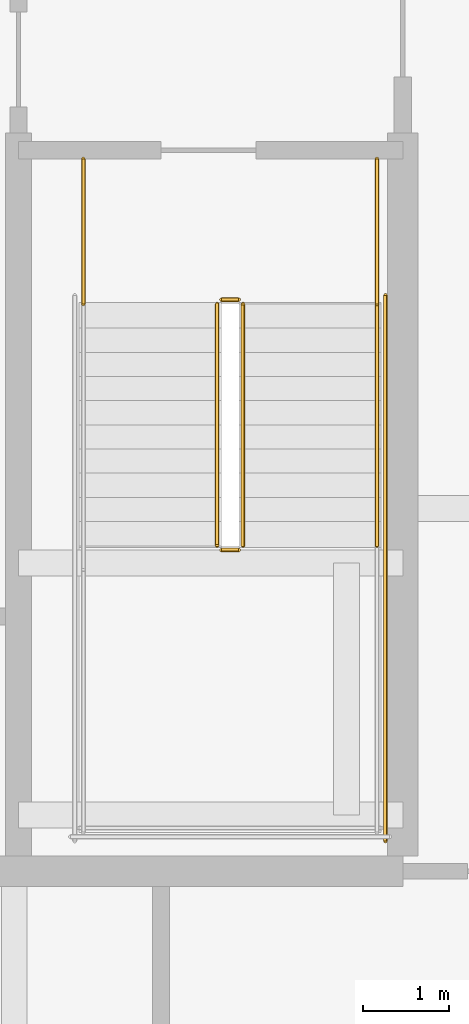
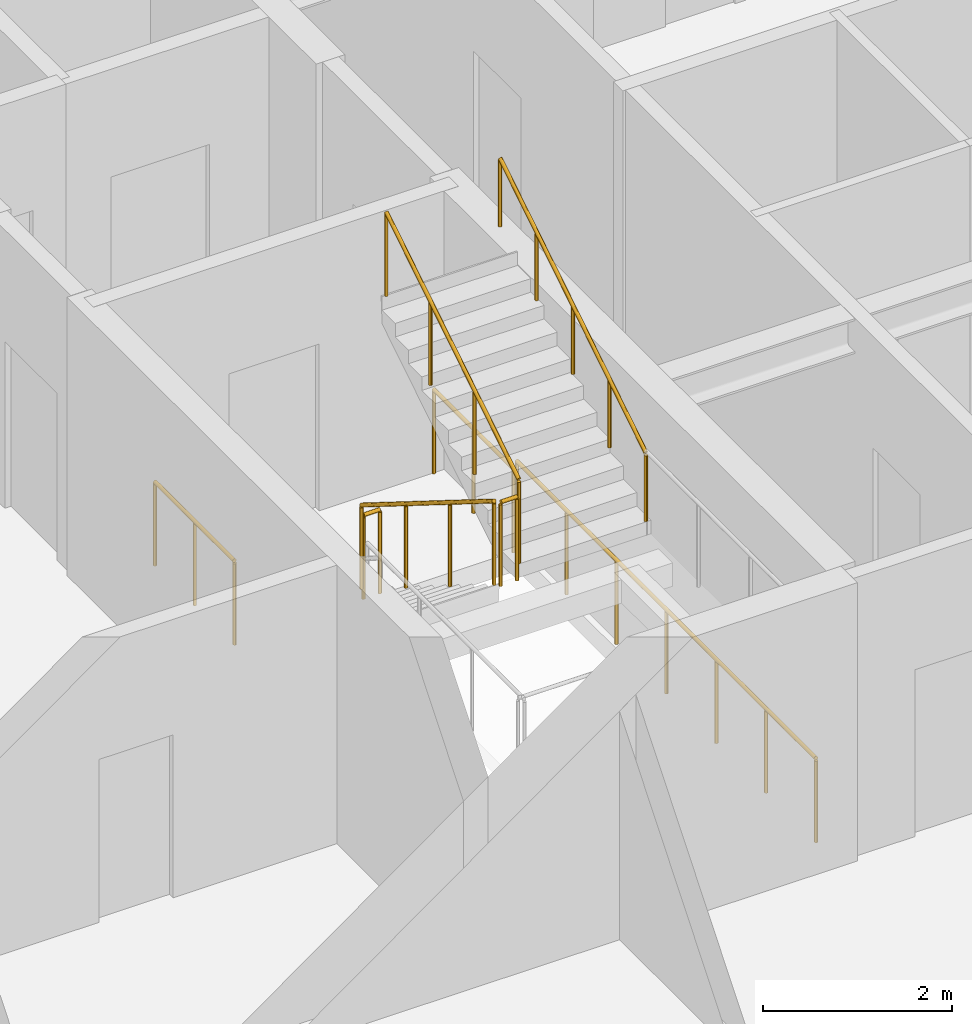
# One storey, part 37 of 38: 8 railings.
"""IFC4 building model written with IfcOpenShell, lengths in metres."""

import ifcopenshell
import ifcopenshell.guid

model = None  # the IFC model being written
_history = None  # IfcOwnerHistory: only IFC2X3 demands one
_inside = {}  # id of a spatial element -> (the spatial element, [elements in it])
_under = {}  # id of a project, library or spatial element -> (it, [spatial elements below it])
_declared = {}  # id of a project -> (the project, [libraries it declares])
_typed = {}  # id of a type object -> (the type object, [elements of that type])
_made_of = {}  # id of a material, layer set ... -> (it, [elements and type objects made of it])


def new_model(schema):
    """Start an empty IFC model of exactly this schema.

    Asked for "IFC4X3", IfcOpenShell would pick the latest addendum, in which some entities
    have other attributes; the version numbers below select the first issue.
    IFC2X3 requires an IfcOwnerHistory on every rooted entity: one is made here for all.
    """
    global model, _history
    if schema == "IFC4X3":
        model = ifcopenshell.file(schema_version=(4, 3, 0, 0))
    else:
        model = ifcopenshell.file(schema=schema)
    _inside.clear()
    _under.clear()
    _declared.clear()
    _typed.clear()
    _made_of.clear()
    _history = None
    if model.schema == "IFC2X3":
        org = make("IfcOrganization", Name="unknown")
        user = make(
            "IfcPersonAndOrganization",
            ThePerson=make("IfcPerson", FamilyName="unknown"),
            TheOrganization=org,
        )
        app = make(
            "IfcApplication",
            ApplicationDeveloper=org,
            Version="unknown",
            ApplicationFullName="unknown",
            ApplicationIdentifier="unknown",
        )
        _history = make(
            "IfcOwnerHistory",
            OwningUser=user,
            OwningApplication=app,
            ChangeAction="ADDED",
            CreationDate=0,
        )
    return model


def make(cls, **values):
    """One entity of the class cls with the attributes given. An attribute that is None is left unset."""
    return model.create_entity(
        cls, **{name: value for name, value in values.items() if value is not None}
    )


def rooted(cls, **values):
    """An entity with a GlobalId (a new one), such as an element, a storey or a relation."""
    return make(cls, GlobalId=ifcopenshell.guid.new(), OwnerHistory=_history, **values)


def si_unit(unit_type, name, prefix=None):
    """IfcSIUnit, for example si_unit("LENGTHUNIT", "METRE", prefix="MILLI")."""
    return make("IfcSIUnit", UnitType=unit_type, Prefix=prefix, Name=name)


def assignment(units):
    """IfcUnitAssignment: the units of a project."""
    return None if units is None else make("IfcUnitAssignment", Units=units)


def point(xyz):
    """IfcCartesianPoint."""
    return None if xyz is None else make("IfcCartesianPoint", Coordinates=xyz)


def direction(xyz):
    """IfcDirection."""
    return None if xyz is None else make("IfcDirection", DirectionRatios=xyz)


def frame(location, z_axis=None, x_axis=None):
    """IfcAxis2Placement3D, a coordinate frame: its origin and axes. An axis left out is left unset."""
    return make(
        "IfcAxis2Placement3D",
        Location=point(location),
        Axis=direction(z_axis),
        RefDirection=direction(x_axis),
    )


def frame_2d(location, x_axis=None):
    """IfcAxis2Placement2D, a coordinate frame in the plane: its origin and x axis."""
    return make(
        "IfcAxis2Placement2D", Location=point(location), RefDirection=direction(x_axis)
    )


def origin():
    """The frame at (0, 0, 0) with its axes left unset."""
    return frame((0.0, 0.0, 0.0))


def origin_2d():
    """The frame at (0, 0) in the plane with its x axis left unset."""
    return frame_2d((0.0, 0.0))


def place(relative_to, where):
    """IfcLocalPlacement: puts the frame where relative to a parent placement (None: the world)."""
    return make(
        "IfcLocalPlacement", PlacementRelTo=relative_to, RelativePlacement=where
    )


def context(
    kind, dimensions, precision=None, world=None, true_north=None, identifier=None
):
    """IfcGeometricRepresentationContext, for example the 3D "Model" context."""
    return make(
        "IfcGeometricRepresentationContext",
        ContextIdentifier=identifier,
        ContextType=kind,
        CoordinateSpaceDimension=dimensions,
        Precision=precision,
        WorldCoordinateSystem=world,
        TrueNorth=true_north,
    )


def subcontext(parent, identifier, kind, view, scale=None):
    """IfcGeometricRepresentationSubContext, for example "Body" below "Model"."""
    return make(
        "IfcGeometricRepresentationSubContext",
        ContextIdentifier=identifier,
        ContextType=kind,
        ParentContext=parent,
        TargetScale=scale,
        TargetView=view,
    )


def project(units=None, contexts=None):
    """IfcProject with its units and contexts."""
    return rooted(
        "IfcProject",
        Name="project",
        RepresentationContexts=contexts,
        UnitsInContext=assignment(units),
    )


def spatial(cls, under=None, at=None, **own):
    """A site, building, storey or space (cls), placed at a placement, below another one or the project."""
    s = rooted(cls, ObjectPlacement=at, **own)
    if under is not None:
        _under.setdefault(under.id(), (under, []))[1].append(s)
    return s


def profile(cls, at=None, kind="AREA", **sizes):
    """A parametric profile (cls). Its sizes go by their IFC names, for example OverallWidth=200.0."""
    return make(cls, ProfileType=kind, Position=at, **sizes)


def circle(**sizes):
    """IfcCircleProfileDef."""
    return profile("IfcCircleProfileDef", **sizes)


def extrude(swept, where, along, depth):
    """IfcExtrudedAreaSolid: the profile swept, set in the frame where, extruded along a direction by depth."""
    return make(
        "IfcExtrudedAreaSolid",
        SweptArea=swept,
        Position=where,
        ExtrudedDirection=direction(along),
        Depth=depth,
    )


def shape(context_of_items, identifier, shape_type, items):
    """IfcShapeRepresentation: the items that make up one representation, for example the "Body"."""
    return make(
        "IfcShapeRepresentation",
        ContextOfItems=context_of_items,
        RepresentationIdentifier=identifier,
        RepresentationType=shape_type,
        Items=items,
    )


def material(Name=None, Category=None):
    """IfcMaterial."""
    return make("IfcMaterial", Name=Name, Category=Category)


def made_of(thing, what):
    """Note that an element or type object is made of a material, layer set ...; save() writes the relation."""
    if what is not None:
        _made_of.setdefault(what.id(), (what, []))[1].append(thing)
    return thing


def type_object(cls, material=None, **own):
    """A type object (cls), such as IfcWallType, which elements share."""
    return made_of(rooted(cls, **own), material)


def element(
    cls,
    number,
    at=None,
    inside=None,
    cuts=None,
    type_object=None,
    material=None,
    context=None,
    identifier="Body",
    shape_type=None,
    held_by="IfcProductDefinitionShape",
    body=None,
    shapes=None,
    **own,
):
    """One element of the class cls, such as IfcWall. Its Tag is "e" and its number.

    at: its placement. inside: the storey or other place that contains it. cuts: it is an
    opening in that element (IfcRelVoidsElement). A single representation is given by context,
    identifier, shape_type and body (its items); several are given by shapes. held_by: the class
    of the entity that holds the representations. save() writes the other relations.
    """
    e = rooted(cls, Tag="e%d" % number, ObjectPlacement=at, **own)
    if body is not None:
        shapes = [shape(context, identifier, shape_type, body)]
    if shapes is not None:
        e.Representation = make(held_by, Representations=shapes)
    if inside is not None:
        _inside.setdefault(inside.id(), (inside, []))[1].append(e)
    if cuts is not None:
        rooted(
            "IfcRelVoidsElement", RelatingBuildingElement=cuts, RelatedOpeningElement=e
        )
    if type_object is not None:
        _typed.setdefault(type_object.id(), (type_object, []))[1].append(e)
    return made_of(e, material)


def aggregate(whole, parts):
    """IfcRelAggregates: a whole, such as a stair, and the parts it consists of."""
    return rooted("IfcRelAggregates", RelatingObject=whole, RelatedObjects=parts)


def save(model, path):
    """Write the relations noted so far, then the file.

    IfcRelAggregates (storeys below a building ...), IfcRelContainedInSpatialStructure (elements
    in a storey), IfcRelDefinesByType, IfcRelAssociatesMaterial and IfcRelDeclares: one each for
    every whole, place, type object, material and project.
    """
    for whole, parts in _under.values():
        aggregate(whole, parts)
    for where, things in _inside.values():
        rooted(
            "IfcRelContainedInSpatialStructure",
            RelatedElements=things,
            RelatingStructure=where,
        )
    for kind, things in _typed.values():
        rooted("IfcRelDefinesByType", RelatedObjects=things, RelatingType=kind)
    for what, things in _made_of.values():
        rooted("IfcRelAssociatesMaterial", RelatedObjects=things, RelatingMaterial=what)
    for by, libraries in _declared.values():
        rooted("IfcRelDeclares", RelatingContext=by, RelatedDefinitions=libraries)
    model.write(path)


model = new_model("IFC4")

# Units and contexts
model_context = context("Model", 3, precision=1e-05, world=origin(), true_north=direction((0.0, 1.0)))
body_context = subcontext(model_context, "Body", "Model", "MODEL_VIEW")
ifc_project = project(units=[si_unit("LENGTHUNIT", "METRE"), si_unit("AREAUNIT", "SQUARE_METRE"), si_unit("VOLUMEUNIT", "CUBIC_METRE"), si_unit("PLANEANGLEUNIT", "RADIAN"), si_unit("MASSUNIT", "GRAM", prefix="KILO")], contexts=[model_context])

# Site, building, storey
site_placement = place(None, origin())
site = spatial("IfcSite", under=ifc_project, at=site_placement, CompositionType="ELEMENT")
building_placement = place(site_placement, origin())
building = spatial("IfcBuilding", under=site, at=building_placement, Name="Serunith Strait Residences", CompositionType="ELEMENT")
storey_placement = place(building_placement, frame((0.0, 0.0, 268.199951171875)))
storey = spatial("IfcBuildingStorey", under=building, at=storey_placement, Name="L67", CompositionType="ELEMENT", Elevation=268.199951171875)

# Railings
ifc_material = material(Name="Brushed stainless steel 316L", Category="steel")
railing_type_1 = type_object("IfcRailingType", Name="RLG-STAIR-GUARD", PredefinedType="BALUSTRADE", material=ifc_material)
railing_1_placement = place(storey_placement, frame((39.25, 23.3701171875, 0.175048828125)))
element("IfcRailing", 1, at=railing_1_placement, inside=storey, type_object=railing_type_1, Name="L67 ST-2 stair guard 1", PredefinedType="BALUSTRADE", context=body_context, shape_type="SweptSolid", body=[
    extrude(circle(Radius=0.02392578125, at=origin_2d()), frame((0.0, -0.001708984375, 1.0771484375), z_axis=(0.0, -0.848002457836, 0.529992293815), x_axis=(1.0, 0.0, 0.0)), (0.0, 0.0, 1.0), 3.2978515625),
    extrude(circle(Radius=0.02099609375, at=origin_2d()), origin(), (0.0, 0.0, 1.0), 1.050048828125),
    extrude(circle(Radius=0.02099609375, at=origin_2d()), frame((0.0, -0.933349609375, 0.583251953125)), (0.0, 0.0, 1.0), 1.050048828125),
    extrude(circle(Radius=0.02099609375, at=origin_2d()), frame((0.0, -1.86669921875, 1.166748046875)), (0.0, 0.0, 1.0), 1.050048828125),
    extrude(circle(Radius=0.02099609375, at=origin_2d()), frame((0.0, -2.800048828125, 1.75)), (0.0, 0.0, 1.0), 1.050048828125),
])
railing_2_placement = place(storey_placement, frame((39.300048828125, 20.52001953125, 1.925048828125)))
element("IfcRailing", 2, at=railing_2_placement, inside=storey, type_object=railing_type_1, Name="L67 ST-2 stair guard 2", PredefinedType="BALUSTRADE", context=body_context, shape_type="SweptSolid", body=[
    extrude(circle(Radius=0.02392578125, at=origin_2d()), frame((0.001953125, 0.0, 1.076171875), z_axis=(1.0, 0.0, 0.0), x_axis=(0.0, 1.0, 0.0)), (0.0, 0.0, 1.0), 0.196044921875),
    extrude(circle(Radius=0.02099609375, at=origin_2d()), origin(), (0.0, 0.0, 1.0), 1.050048828125),
    extrude(circle(Radius=0.02099609375, at=origin_2d()), frame((0.199951171875, 0.0, 0.0)), (0.0, 0.0, 1.0), 1.050048828125),
])
railing_3_placement = place(storey_placement, frame((39.550048828125, 20.570068359375, 2.10009765625)))
element("IfcRailing", 3, at=railing_3_placement, inside=storey, type_object=railing_type_1, Name="L67 ST-2 stair guard 6", PredefinedType="BALUSTRADE", context=body_context, shape_type="SweptSolid", body=[
    extrude(circle(Radius=0.02392578125, at=origin_2d()), frame((0.0, 0.001708984375, 1.0771484375), z_axis=(0.0, 0.848002457836, 0.529992293815), x_axis=(-1.0, 0.0, 0.0)), (0.0, 0.0, 1.0), 3.2978515625),
    extrude(circle(Radius=0.02099609375, at=origin_2d()), origin(), (0.0, 0.0, 1.0), 1.050048828125),
    extrude(circle(Radius=0.02099609375, at=origin_2d()), frame((0.0, 0.933349609375, 0.583251953125)), (0.0, 0.0, 1.0), 1.050048828125),
    extrude(circle(Radius=0.02099609375, at=origin_2d()), frame((0.0, 1.86669921875, 1.166748046875)), (0.0, 0.0, 1.0), 1.050048828125),
    extrude(circle(Radius=0.02099609375, at=origin_2d()), frame((0.0, 2.800048828125, 1.75)), (0.0, 0.0, 1.0), 1.050048828125),
])
railing_4_placement = place(storey_placement, frame((39.300048828125, 23.419921875, 0.0)))
element("IfcRailing", 4, at=railing_4_placement, inside=storey, type_object=railing_type_1, Name="L67 ST-2 stair guard 7", PredefinedType="BALUSTRADE", context=body_context, shape_type="SweptSolid", body=[
    extrude(circle(Radius=0.02392578125, at=origin_2d()), frame((0.001953125, 0.0, 1.076171875), z_axis=(1.0, 0.0, 0.0), x_axis=(0.0, 1.0, 0.0)), (0.0, 0.0, 1.0), 0.196044921875),
    extrude(circle(Radius=0.02099609375, at=origin_2d()), origin(), (0.0, 0.0, 1.0), 1.050048828125),
    extrude(circle(Radius=0.02099609375, at=origin_2d()), frame((0.199951171875, 0.0, 0.0)), (0.0, 0.0, 1.0), 1.050048828125),
])
for number, where, name in (
    (5, (37.699951171875, 25.050048828125, 0.0), "L67 ST-2 stair guard 8"),
    (6, (41.10009765625, 25.050048828125, 0.0), "L67 ST-2 stair guard 9"),
):
    element("IfcRailing", number, at=place(storey_placement, frame(where)), inside=storey, type_object=railing_type_1, Name=name, PredefinedType="BALUSTRADE", context=body_context, shape_type="SweptSolid", body=[
        extrude(circle(Radius=0.02392578125, at=origin_2d()), frame((0.0, -0.001953125, 1.076171875), z_axis=(0.0, -1.0, 0.0), x_axis=(1.0, 0.0, 0.0)), (0.0, 0.0, 1.0), 1.676025390625),
        extrude(circle(Radius=0.02099609375, at=origin_2d()), origin(), (0.0, 0.0, 1.0), 1.050048828125),
        extrude(circle(Radius=0.02099609375, at=origin_2d()), frame((0.0, -0.83984375, 0.0)), (0.0, 0.0, 1.0), 1.050048828125),
        extrude(circle(Radius=0.02099609375, at=origin_2d()), frame((0.0, -1.679931640625, 0.0)), (0.0, 0.0, 1.0), 1.050048828125),
    ])
railing_5_placement = place(storey_placement, frame((41.199951171875, 23.469970703125, 0.0)))
element("IfcRailing", 7, at=railing_5_placement, inside=storey, type_object=railing_type_1, Name="L67 ST-2 stair guard 11", PredefinedType="BALUSTRADE", context=body_context, shape_type="SweptSolid", body=[
    extrude(circle(Radius=0.02392578125, at=origin_2d()), frame((0.0, -0.001953125, 1.076171875), z_axis=(0.0, -1.0, 0.0), x_axis=(1.0, 0.0, 0.0)), (0.0, 0.0, 1.0), 6.316162109375),
    extrude(circle(Radius=0.02099609375, at=origin_2d()), origin(), (0.0, 0.0, 1.0), 1.050048828125),
    extrude(circle(Radius=0.02099609375, at=origin_2d()), frame((0.0, -1.05322265625, 0.0)), (0.0, 0.0, 1.0), 1.050048828125),
    extrude(circle(Radius=0.02099609375, at=origin_2d()), frame((0.0, -2.106689453125, 0.0)), (0.0, 0.0, 1.0), 1.050048828125),
    extrude(circle(Radius=0.02099609375, at=origin_2d()), frame((0.0, -3.16015625, 0.0)), (0.0, 0.0, 1.0), 1.050048828125),
    extrude(circle(Radius=0.02099609375, at=origin_2d()), frame((0.0, -4.21337890625, 0.0)), (0.0, 0.0, 1.0), 1.050048828125),
    extrude(circle(Radius=0.02099609375, at=origin_2d()), frame((0.0, -5.2666015625, 0.0)), (0.0, 0.0, 1.0), 1.050048828125),
    extrude(circle(Radius=0.02099609375, at=origin_2d()), frame((0.0, -6.320068359375, 0.0)), (0.0, 0.0, 1.0), 1.050048828125),
])
railing_type_2 = type_object("IfcRailingType", Name="RLG-STAIR-HR", PredefinedType="HANDRAIL", material=ifc_material)
railing_6_placement = place(storey_placement, frame((41.10009765625, 20.570068359375, 2.10009765625)))
element("IfcRailing", 8, at=railing_6_placement, inside=storey, type_object=railing_type_2, Name="L67 ST-2 stair handrail 2", PredefinedType="HANDRAIL", context=body_context, shape_type="SweptSolid", body=[
    extrude(circle(Radius=0.02392578125, at=origin_2d()), frame((0.0, 0.001708984375, 0.876953125), z_axis=(0.0, 0.847375056783, 0.530994833442), x_axis=(-1.0, 0.0, 0.0)), (0.0, 0.0, 1.0), 3.630615234375),
    extrude(circle(Radius=0.02099609375, at=origin_2d()), origin(), (0.0, 0.0, 1.0), 0.849853515625),
    extrude(circle(Radius=0.02099609375, at=origin_2d()), frame((0.0, 0.77001953125, 0.482421875)), (0.0, 0.0, 1.0), 0.849853515625),
    extrude(circle(Radius=0.02099609375, at=origin_2d()), frame((0.0, 1.5400390625, 0.96484375)), (0.0, 0.0, 1.0), 0.849853515625),
    extrude(circle(Radius=0.02099609375, at=origin_2d()), frame((0.0, 2.309814453125, 1.447509765625)), (0.0, 0.0, 1.0), 0.849853515625),
    extrude(circle(Radius=0.02099609375, at=origin_2d()), frame((0.0, 3.079833984375, 1.929931640625)), (0.0, 0.0, 1.0), 0.849853515625),
])

save(model, "model.ifc")
